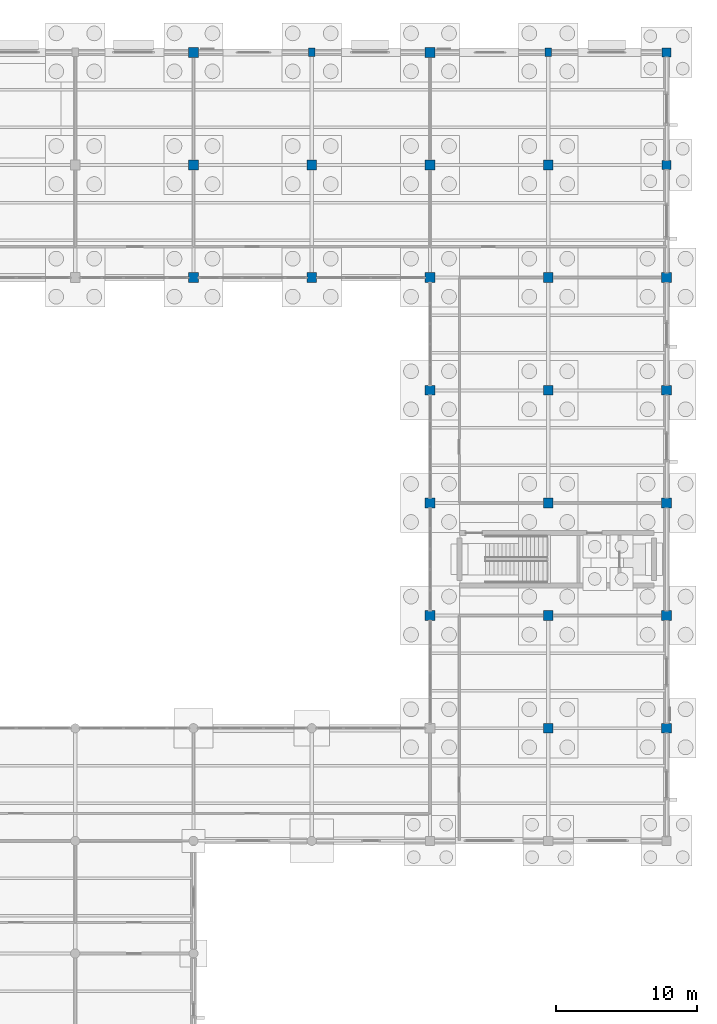
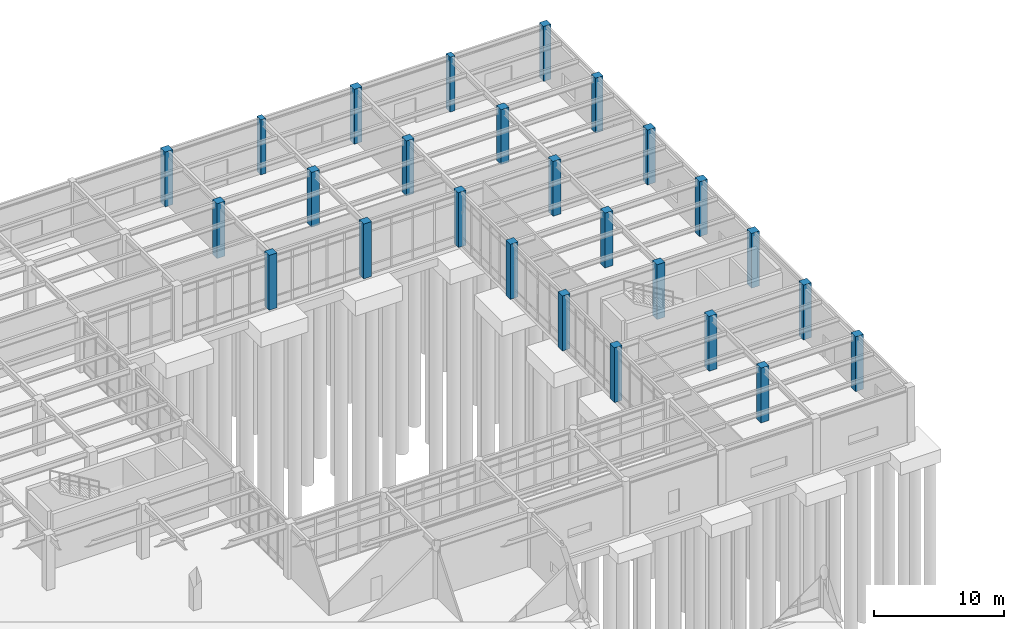
# One storey, part 20 of 138: 26 columns.
"""IFC4 building model written with IfcOpenShell, lengths in metres."""

from ifc_helpers import new_model, si_unit, direction, frame, origin, origin_2d, place, context, subcontext, project, spatial, rectangle, extrude, material, material_profile, profile_set, type_object, element, save


model = new_model("IFC4")

# Units and contexts
model_context = context("Model", 3, precision=1e-05, world=origin(), true_north=direction((0.0, 1.0)))
body_context = subcontext(model_context, "Body", "Model", "MODEL_VIEW")
ifc_project = project(units=[si_unit("LENGTHUNIT", "METRE"), si_unit("AREAUNIT", "SQUARE_METRE"), si_unit("VOLUMEUNIT", "CUBIC_METRE"), si_unit("PLANEANGLEUNIT", "RADIAN"), si_unit("MASSUNIT", "GRAM", prefix="KILO")], contexts=[model_context])

# Site, building, storey
site_placement = place(None, origin())
site = spatial("IfcSite", under=ifc_project, at=site_placement, CompositionType="ELEMENT")
building_placement = place(site_placement, origin())
building = spatial("IfcBuilding", under=site, at=building_placement, Name="Kranzveld Transit Interchange", CompositionType="ELEMENT")
storey_placement = place(building_placement, origin())
storey = spatial("IfcBuildingStorey", under=building, at=storey_placement, Name="L00", CompositionType="ELEMENT", Elevation=0.0)

# Columns
ifc_material_1 = material(Name="Concrete C35/45", Category="concrete")
ifc_material_profile_1 = material_profile(ifc_material_1, rectangle(XDim=0.64990234375, YDim=0.64990234375, at=origin_2d()), Name="RC 650x650")
ifc_profile_set_1 = profile_set([ifc_material_profile_1], Name="Concrete C35/45")
column_type_1 = type_object("IfcColumnType", Name="Column RC 650x650 C35/45", PredefinedType="COLUMN", material=ifc_profile_set_1)
for number, where, z_axis, x_axis, name in (
    (1, (168.0, 104.0, 0.0), (0.0, 0.0, 1.0), (1.0, 0.0, 0.0), "L00 Column 21/P"),
    (2, (168.0, 112.0, 0.0), (0.0, 0.0, 1.0), (1.0, 0.0, 0.0), "L00 Column 21/Q"),
):
    element("IfcColumn", number, at=place(storey_placement, frame(where, z_axis=z_axis, x_axis=x_axis)), inside=storey, type_object=column_type_1, Name=name, PredefinedType="COLUMN", context=body_context, shape_type="SweptSolid", body=[
        extrude(rectangle(XDim=0.64990234375, YDim=0.64990234375, at=origin_2d()), origin(), (0.0, 0.0, 1.0), 5.14990234375),
    ])
ifc_material_2 = material(Name="Concrete C35/45", Category="concrete")
ifc_material_profile_2 = material_profile(ifc_material_2, rectangle(XDim=0.699951171875, YDim=0.699951171875, at=origin_2d()), Name="RC 700x700")
ifc_profile_set_2 = profile_set([ifc_material_profile_2], Name="Concrete C35/45")
column_type_2 = type_object("IfcColumnType", Name="Column RC 700x700 C35/45", PredefinedType="COLUMN", material=ifc_profile_set_2)
for number, where, z_axis, x_axis, name in (
    (3, (134.39990234375, 96.0, 0.0), (0.0, 0.0, 1.0), (1.0, 0.0, 0.0), "L00 Column 17/N"),
    (4, (134.39990234375, 104.0, 0.0), (0.0, 0.0, 1.0), (1.0, 0.0, 0.0), "L00 Column 17/P"),
    (5, (134.39990234375, 112.0, 0.0), (0.0, 0.0, 1.0), (1.0, 0.0, 0.0), "L00 Column 17/Q"),
    (6, (142.800048828125, 96.0, 0.0), (0.0, 0.0, 1.0), (1.0, 0.0, 0.0), "L00 Column 18/N"),
    (7, (142.800048828125, 104.0, 0.0), (0.0, 0.0, 1.0), (1.0, 0.0, 0.0), "L00 Column 18/P"),
    (8, (151.199951171875, 72.0, 0.0), (0.0, 0.0, 1.0), (1.0, 0.0, 0.0), "L00 Column 19/K"),
    (9, (151.199951171875, 80.0, 0.0), (0.0, 0.0, 1.0), (1.0, 0.0, 0.0), "L00 Column 19/L"),
    (10, (151.199951171875, 88.0, 0.0), (0.0, 0.0, 1.0), (1.0, 0.0, 0.0), "L00 Column 19/M"),
    (11, (151.199951171875, 96.0, 0.0), (0.0, 0.0, 1.0), (1.0, 0.0, 0.0), "L00 Column 19/N"),
    (12, (151.199951171875, 104.0, 0.0), (0.0, 0.0, 1.0), (1.0, 0.0, 0.0), "L00 Column 19/P"),
    (13, (151.199951171875, 112.0, 0.0), (0.0, 0.0, 1.0), (1.0, 0.0, 0.0), "L00 Column 19/Q"),
    (14, (159.60009765625, 64.0, 0.0), (0.0, 0.0, 1.0), (1.0, 0.0, 0.0), "L00 Column 20/J"),
    (15, (159.60009765625, 72.0, 0.0), (0.0, 0.0, 1.0), (1.0, 0.0, 0.0), "L00 Column 20/K"),
    (16, (159.60009765625, 80.0, 0.0), (0.0, 0.0, 1.0), (1.0, 0.0, 0.0), "L00 Column 20/L"),
    (17, (159.60009765625, 88.0, 0.0), (0.0, 0.0, 1.0), (1.0, 0.0, 0.0), "L00 Column 20/M"),
    (18, (159.60009765625, 96.0, 0.0), (0.0, 0.0, 1.0), (1.0, 0.0, 0.0), "L00 Column 20/N"),
    (19, (159.60009765625, 104.0, 0.0), (0.0, 0.0, 1.0), (1.0, 0.0, 0.0), "L00 Column 20/P"),
    (20, (168.0, 64.0, 0.0), (0.0, 0.0, 1.0), (1.0, 0.0, 0.0), "L00 Column 21/J"),
    (21, (168.0, 72.0, 0.0), (0.0, 0.0, 1.0), (1.0, 0.0, 0.0), "L00 Column 21/K"),
    (22, (168.0, 80.0, 0.0), (0.0, 0.0, 1.0), (1.0, 0.0, 0.0), "L00 Column 21/L"),
    (23, (168.0, 88.0, 0.0), (0.0, 0.0, 1.0), (1.0, 0.0, 0.0), "L00 Column 21/M"),
    (24, (168.0, 96.0, 0.0), (0.0, 0.0, 1.0), (1.0, 0.0, 0.0), "L00 Column 21/N"),
):
    element("IfcColumn", number, at=place(storey_placement, frame(where, z_axis=z_axis, x_axis=x_axis)), inside=storey, type_object=column_type_2, Name=name, PredefinedType="COLUMN", context=body_context, shape_type="SweptSolid", body=[
        extrude(rectangle(XDim=0.699951171875, YDim=0.699951171875, at=origin_2d()), origin(), (0.0, 0.0, 1.0), 5.14990234375),
    ])
ifc_material_3 = material(Name="Concrete C35/45", Category="concrete")
ifc_material_profile_3 = material_profile(ifc_material_3, rectangle(XDim=0.449951171875, YDim=0.60009765625, at=origin_2d()), Name="RC 600x450")
ifc_profile_set_3 = profile_set([ifc_material_profile_3], Name="Concrete C35/45")
column_type_3 = type_object("IfcColumnType", Name="Pilaster RC 450x600 C35/45", PredefinedType="PILASTER", material=ifc_profile_set_3)
for number, where, z_axis, x_axis, name in (
    (25, (142.800048828125, 112.0, 0.0), (0.0, 0.0, 1.0), (1.0, 0.0, 0.0), "L00 Column 18/Q"),
    (26, (159.60009765625, 112.0, 0.0), (0.0, 0.0, 1.0), (1.0, 0.0, 0.0), "L00 Column 20/Q"),
):
    element("IfcColumn", number, at=place(storey_placement, frame(where, z_axis=z_axis, x_axis=x_axis)), inside=storey, type_object=column_type_3, Name=name, PredefinedType="PILASTER", context=body_context, shape_type="SweptSolid", body=[
        extrude(rectangle(XDim=0.449951171875, YDim=0.60009765625, at=origin_2d()), origin(), (0.0, 0.0, 1.0), 5.14990234375),
    ])

save(model, "model.ifc")
